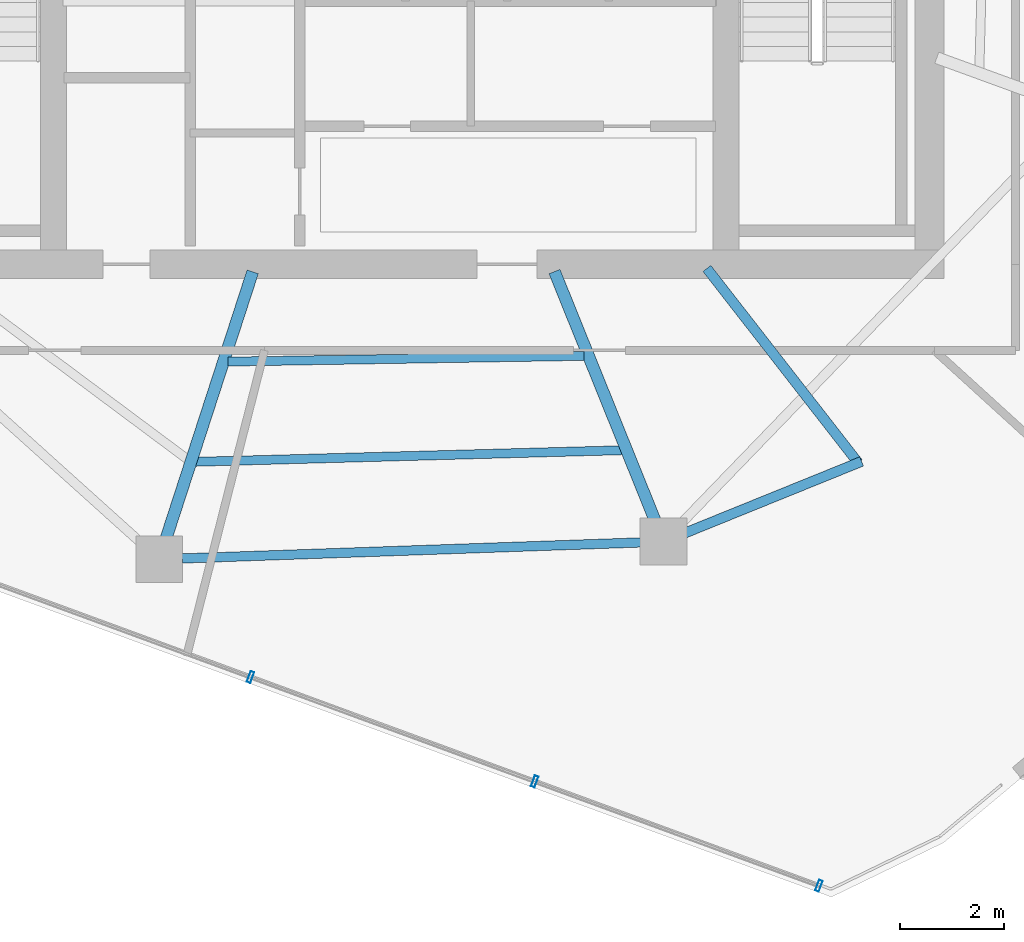
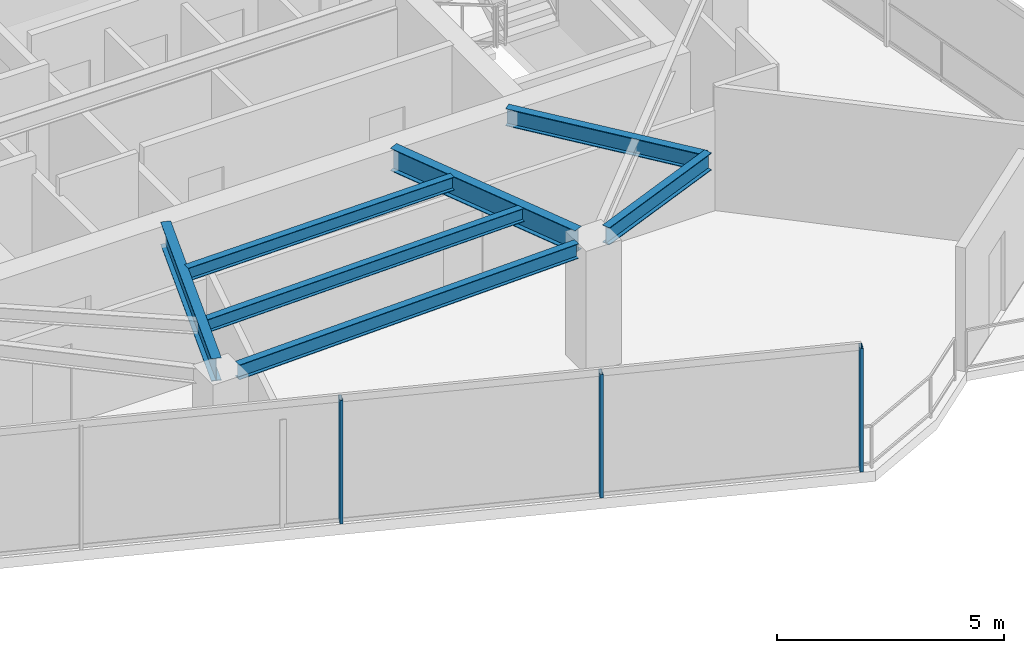
# One storey, part 4 of 18: 7 beams, 3 members, 1 element without a shape of its own.
"""IFC4 building model written with IfcOpenShell, lengths in metres."""

import ifcopenshell
import ifcopenshell.guid

model = None  # the IFC model being written
_history = None  # IfcOwnerHistory: only IFC2X3 demands one
_inside = {}  # id of a spatial element -> (the spatial element, [elements in it])
_under = {}  # id of a project, library or spatial element -> (it, [spatial elements below it])
_declared = {}  # id of a project -> (the project, [libraries it declares])
_typed = {}  # id of a type object -> (the type object, [elements of that type])
_made_of = {}  # id of a material, layer set ... -> (it, [elements and type objects made of it])


def new_model(schema):
    """Start an empty IFC model of exactly this schema.

    Asked for "IFC4X3", IfcOpenShell would pick the latest addendum, in which some entities
    have other attributes; the version numbers below select the first issue.
    IFC2X3 requires an IfcOwnerHistory on every rooted entity: one is made here for all.
    """
    global model, _history
    if schema == "IFC4X3":
        model = ifcopenshell.file(schema_version=(4, 3, 0, 0))
    else:
        model = ifcopenshell.file(schema=schema)
    _inside.clear()
    _under.clear()
    _declared.clear()
    _typed.clear()
    _made_of.clear()
    _history = None
    if model.schema == "IFC2X3":
        org = make("IfcOrganization", Name="unknown")
        user = make(
            "IfcPersonAndOrganization",
            ThePerson=make("IfcPerson", FamilyName="unknown"),
            TheOrganization=org,
        )
        app = make(
            "IfcApplication",
            ApplicationDeveloper=org,
            Version="unknown",
            ApplicationFullName="unknown",
            ApplicationIdentifier="unknown",
        )
        _history = make(
            "IfcOwnerHistory",
            OwningUser=user,
            OwningApplication=app,
            ChangeAction="ADDED",
            CreationDate=0,
        )
    return model


def make(cls, **values):
    """One entity of the class cls with the attributes given. An attribute that is None is left unset."""
    return model.create_entity(
        cls, **{name: value for name, value in values.items() if value is not None}
    )


def rooted(cls, **values):
    """An entity with a GlobalId (a new one), such as an element, a storey or a relation."""
    return make(cls, GlobalId=ifcopenshell.guid.new(), OwnerHistory=_history, **values)


def si_unit(unit_type, name, prefix=None):
    """IfcSIUnit, for example si_unit("LENGTHUNIT", "METRE", prefix="MILLI")."""
    return make("IfcSIUnit", UnitType=unit_type, Prefix=prefix, Name=name)


def assignment(units):
    """IfcUnitAssignment: the units of a project."""
    return None if units is None else make("IfcUnitAssignment", Units=units)


def point(xyz):
    """IfcCartesianPoint."""
    return None if xyz is None else make("IfcCartesianPoint", Coordinates=xyz)


def direction(xyz):
    """IfcDirection."""
    return None if xyz is None else make("IfcDirection", DirectionRatios=xyz)


def frame(location, z_axis=None, x_axis=None):
    """IfcAxis2Placement3D, a coordinate frame: its origin and axes. An axis left out is left unset."""
    return make(
        "IfcAxis2Placement3D",
        Location=point(location),
        Axis=direction(z_axis),
        RefDirection=direction(x_axis),
    )


def frame_2d(location, x_axis=None):
    """IfcAxis2Placement2D, a coordinate frame in the plane: its origin and x axis."""
    return make(
        "IfcAxis2Placement2D", Location=point(location), RefDirection=direction(x_axis)
    )


def origin():
    """The frame at (0, 0, 0) with its axes left unset."""
    return frame((0.0, 0.0, 0.0))


def origin_2d():
    """The frame at (0, 0) in the plane with its x axis left unset."""
    return frame_2d((0.0, 0.0))


def place(relative_to, where):
    """IfcLocalPlacement: puts the frame where relative to a parent placement (None: the world)."""
    return make(
        "IfcLocalPlacement", PlacementRelTo=relative_to, RelativePlacement=where
    )


def context(
    kind, dimensions, precision=None, world=None, true_north=None, identifier=None
):
    """IfcGeometricRepresentationContext, for example the 3D "Model" context."""
    return make(
        "IfcGeometricRepresentationContext",
        ContextIdentifier=identifier,
        ContextType=kind,
        CoordinateSpaceDimension=dimensions,
        Precision=precision,
        WorldCoordinateSystem=world,
        TrueNorth=true_north,
    )


def subcontext(parent, identifier, kind, view, scale=None):
    """IfcGeometricRepresentationSubContext, for example "Body" below "Model"."""
    return make(
        "IfcGeometricRepresentationSubContext",
        ContextIdentifier=identifier,
        ContextType=kind,
        ParentContext=parent,
        TargetScale=scale,
        TargetView=view,
    )


def project(units=None, contexts=None):
    """IfcProject with its units and contexts."""
    return rooted(
        "IfcProject",
        Name="project",
        RepresentationContexts=contexts,
        UnitsInContext=assignment(units),
    )


def spatial(cls, under=None, at=None, **own):
    """A site, building, storey or space (cls), placed at a placement, below another one or the project."""
    s = rooted(cls, ObjectPlacement=at, **own)
    if under is not None:
        _under.setdefault(under.id(), (under, []))[1].append(s)
    return s


def profile(cls, at=None, kind="AREA", **sizes):
    """A parametric profile (cls). Its sizes go by their IFC names, for example OverallWidth=200.0."""
    return make(cls, ProfileType=kind, Position=at, **sizes)


def hollow_rectangle(**sizes):
    """IfcRectangleHollowProfileDef."""
    return profile("IfcRectangleHollowProfileDef", **sizes)


def i_section(**sizes):
    """IfcIShapeProfileDef."""
    return profile("IfcIShapeProfileDef", **sizes)


def extrude(swept, where, along, depth):
    """IfcExtrudedAreaSolid: the profile swept, set in the frame where, extruded along a direction by depth."""
    return make(
        "IfcExtrudedAreaSolid",
        SweptArea=swept,
        Position=where,
        ExtrudedDirection=direction(along),
        Depth=depth,
    )


def shape(context_of_items, identifier, shape_type, items):
    """IfcShapeRepresentation: the items that make up one representation, for example the "Body"."""
    return make(
        "IfcShapeRepresentation",
        ContextOfItems=context_of_items,
        RepresentationIdentifier=identifier,
        RepresentationType=shape_type,
        Items=items,
    )


def material(Name=None, Category=None):
    """IfcMaterial."""
    return make("IfcMaterial", Name=Name, Category=Category)


def layer(
    of_material, thickness, ventilated=None, Name=None, Category=None, Priority=None
):
    """IfcMaterialLayer: one layer of a wall or slab, of a material (None: an air gap)."""
    return make(
        "IfcMaterialLayer",
        Material=of_material,
        LayerThickness=thickness,
        IsVentilated=ventilated,
        Name=Name,
        Category=Category,
        Priority=Priority,
    )


def layer_set(layers, Name=None):
    """IfcMaterialLayerSet."""
    return make("IfcMaterialLayerSet", MaterialLayers=layers, LayerSetName=Name)


def material_profile(
    of_material, cross_section, Name=None, Category=None, Priority=None
):
    """IfcMaterialProfile: a cross section and its material."""
    return make(
        "IfcMaterialProfile",
        Name=Name,
        Material=of_material,
        Profile=cross_section,
        Priority=Priority,
        Category=Category,
    )


def profile_set(profiles, Name=None, composite=None):
    """IfcMaterialProfileSet."""
    return make(
        "IfcMaterialProfileSet",
        Name=Name,
        MaterialProfiles=profiles,
        CompositeProfile=composite,
    )


def made_of(thing, what):
    """Note that an element or type object is made of a material, layer set ...; save() writes the relation."""
    if what is not None:
        _made_of.setdefault(what.id(), (what, []))[1].append(thing)
    return thing


def type_object(cls, material=None, **own):
    """A type object (cls), such as IfcWallType, which elements share."""
    return made_of(rooted(cls, **own), material)


def element(
    cls,
    number,
    at=None,
    inside=None,
    cuts=None,
    type_object=None,
    material=None,
    context=None,
    identifier="Body",
    shape_type=None,
    held_by="IfcProductDefinitionShape",
    body=None,
    shapes=None,
    **own,
):
    """One element of the class cls, such as IfcWall. Its Tag is "e" and its number.

    at: its placement. inside: the storey or other place that contains it. cuts: it is an
    opening in that element (IfcRelVoidsElement). A single representation is given by context,
    identifier, shape_type and body (its items); several are given by shapes. held_by: the class
    of the entity that holds the representations. save() writes the other relations.
    """
    e = rooted(cls, Tag="e%d" % number, ObjectPlacement=at, **own)
    if body is not None:
        shapes = [shape(context, identifier, shape_type, body)]
    if shapes is not None:
        e.Representation = make(held_by, Representations=shapes)
    if inside is not None:
        _inside.setdefault(inside.id(), (inside, []))[1].append(e)
    if cuts is not None:
        rooted(
            "IfcRelVoidsElement", RelatingBuildingElement=cuts, RelatedOpeningElement=e
        )
    if type_object is not None:
        _typed.setdefault(type_object.id(), (type_object, []))[1].append(e)
    return made_of(e, material)


def aggregate(whole, parts):
    """IfcRelAggregates: a whole, such as a stair, and the parts it consists of."""
    return rooted("IfcRelAggregates", RelatingObject=whole, RelatedObjects=parts)


def save(model, path):
    """Write the relations noted so far, then the file.

    IfcRelAggregates (storeys below a building ...), IfcRelContainedInSpatialStructure (elements
    in a storey), IfcRelDefinesByType, IfcRelAssociatesMaterial and IfcRelDeclares: one each for
    every whole, place, type object, material and project.
    """
    for whole, parts in _under.values():
        aggregate(whole, parts)
    for where, things in _inside.values():
        rooted(
            "IfcRelContainedInSpatialStructure",
            RelatedElements=things,
            RelatingStructure=where,
        )
    for kind, things in _typed.values():
        rooted("IfcRelDefinesByType", RelatedObjects=things, RelatingType=kind)
    for what, things in _made_of.values():
        rooted("IfcRelAssociatesMaterial", RelatedObjects=things, RelatingMaterial=what)
    for by, libraries in _declared.values():
        rooted("IfcRelDeclares", RelatingContext=by, RelatedDefinitions=libraries)
    model.write(path)


model = new_model("IFC4")

# Units and contexts
model_context = context("Model", 3, precision=1e-05, world=origin(), true_north=direction((0.0, 1.0)))
body_context = subcontext(model_context, "Body", "Model", "MODEL_VIEW")
ifc_project = project(units=[si_unit("LENGTHUNIT", "METRE"), si_unit("AREAUNIT", "SQUARE_METRE"), si_unit("VOLUMEUNIT", "CUBIC_METRE"), si_unit("PLANEANGLEUNIT", "RADIAN"), si_unit("MASSUNIT", "GRAM", prefix="KILO")], contexts=[model_context])

# Site, building, storey
site_placement = place(None, origin())
site = spatial("IfcSite", under=ifc_project, at=site_placement, CompositionType="ELEMENT")
building_placement = place(site_placement, origin())
building = spatial("IfcBuilding", under=site, at=building_placement, Name="Qarnah Convention Tower", CompositionType="ELEMENT")
storey_placement = place(building_placement, frame((0.0, 0.0, 216.60009765625)))
storey = spatial("IfcBuildingStorey", under=building, at=storey_placement, Name="L58", CompositionType="ELEMENT", Elevation=216.60009765625)

# Beams
ifc_material_1 = material(Name="Structural steel S355JR", Category="steel")
ifc_material_profile_1 = material_profile(ifc_material_1, i_section(OverallWidth=0.19189453125, OverallDepth=0.464111328125, WebThickness=0.010986328125, FlangeThickness=0.01806640625, at=origin_2d()), Name="W460X89")
ifc_profile_set_1 = profile_set([ifc_material_profile_1], Name="Structural steel S355JR")
beam_type_1 = type_object("IfcBeamType", Name="BM-CANT-W460A", PredefinedType="BEAM", material=ifc_profile_set_1)
beam_1_placement = place(storey_placement, frame((43.3310546875, 18.52099609375, 3.087890625), z_axis=(0.614241094698, -0.789118417973, 0.0), x_axis=(0.789118417973, 0.614241094698, 0.0)))
element("IfcBeam", 1, at=beam_1_placement, inside=storey, type_object=beam_type_1, Name="L58 beam BM-L58-CNT-03-1", PredefinedType="BEAM", context=body_context, shape_type="SweptSolid", body=[
    extrude(i_section(OverallWidth=0.19189453125, OverallDepth=0.464111328125, WebThickness=0.010986328125, FlangeThickness=0.01806640625, at=origin_2d()), origin(), (0.0, 0.0, 1.0), 4.724365234375),
])
beam_2_placement = place(storey_placement, frame((46.298095703125, 14.819091796875, 3.087890625), z_axis=(-0.926735498901, -0.375714406268, 0.0), x_axis=(0.375714406268, -0.926735498901, 0.0)))
element("IfcBeam", 2, at=beam_2_placement, inside=storey, type_object=beam_type_1, Name="L58 spandrel BM-L58-CTIE-03", PredefinedType="SPANDREL", context=body_context, shape_type="SweptSolid", body=[
    extrude(i_section(OverallWidth=0.19189453125, OverallDepth=0.464111328125, WebThickness=0.010986328125, FlangeThickness=0.01806640625, at=origin_2d()), origin(), (0.0, 0.0, 1.0), 3.656982421875),
])
ifc_material_profile_2 = material_profile(ifc_material_1, i_section(OverallWidth=0.172119140625, OverallDepth=0.35595703125, WebThickness=0.007080078125, FlangeThickness=0.011962890625, at=origin_2d()), Name="W360X51")
ifc_profile_set_2 = profile_set([ifc_material_profile_2], Name="Structural steel S355JR")
beam_type_2 = type_object("IfcBeamType", Name="BM-JST-W360", PredefinedType="JOIST", material=ifc_profile_set_2)
beam_3_placement = place(storey_placement, frame((33.52392578125, 14.81201171875, 3.141845703125), z_axis=(0.999632001403, 0.027126772227, 0.0), x_axis=(-0.027126772227, 0.999632001403, 0.0)))
element("IfcBeam", 3, at=beam_3_placement, inside=storey, type_object=beam_type_2, Name="L58 joist BM-L58-SJST-07", PredefinedType="JOIST", context=body_context, shape_type="SweptSolid", body=[
    extrude(i_section(OverallWidth=0.172119140625, OverallDepth=0.35595703125, WebThickness=0.007080078125, FlangeThickness=0.011962890625, at=origin_2d()), origin(), (0.0, 0.0, 1.0), 8.180908203125),
])
beam_4_placement = place(storey_placement, frame((34.14794921875, 16.73388671875, 3.141845703125), z_axis=(0.999872111544, 0.015992515614, 0.0), x_axis=(-0.015992515614, 0.999872111544, 0.0)))
element("IfcBeam", 4, at=beam_4_placement, inside=storey, type_object=beam_type_2, Name="L58 joist BM-L58-IJST-07", PredefinedType="JOIST", context=body_context, shape_type="SweptSolid", body=[
    extrude(i_section(OverallWidth=0.172119140625, OverallDepth=0.35595703125, WebThickness=0.007080078125, FlangeThickness=0.011962890625, at=origin_2d()), origin(), (0.0, 0.0, 1.0), 6.823974609375),
])
ifc_material_profile_3 = material_profile(ifc_material_1, i_section(OverallWidth=0.22802734375, OverallDepth=0.60791015625, WebThickness=0.010986328125, FlangeThickness=0.01708984375, at=origin_2d()), Name="W610X113")
ifc_profile_set_3 = profile_set([ifc_material_profile_3], Name="Structural steel S355JR")
beam_type_3 = type_object("IfcBeamType", Name="BM-RAD-W610B", PredefinedType="BEAM", material=ifc_profile_set_3)
beam_5_placement = place(storey_placement, frame((34.618896484375, 18.45703125, 3.015869140625), z_axis=(-0.309055218988, -0.951044095516, 0.0), x_axis=(0.951044095516, -0.309055218988, 0.0)))
element("IfcBeam", 5, at=beam_5_placement, inside=storey, type_object=beam_type_3, Name="L58 beam BM-L58-RAD-07", PredefinedType="BEAM", context=body_context, shape_type="SweptSolid", body=[
    extrude(i_section(OverallWidth=0.22802734375, OverallDepth=0.60791015625, WebThickness=0.010986328125, FlangeThickness=0.01708984375, at=origin_2d()), origin(), (0.0, 0.0, 1.0), 5.36767578125),
])
beam_6_placement = place(storey_placement, frame((40.407958984375, 18.4609375, 3.015869140625), z_axis=(0.374620360642, -0.927178292127, 0.0), x_axis=(0.927178292127, 0.374620360642, 0.0)))
element("IfcBeam", 6, at=beam_6_placement, inside=storey, type_object=beam_type_3, Name="L58 beam BM-L58-RAD-08", PredefinedType="BEAM", context=body_context, shape_type="SweptSolid", body=[
    extrude(i_section(OverallWidth=0.22802734375, OverallDepth=0.60791015625, WebThickness=0.010986328125, FlangeThickness=0.01708984375, at=origin_2d()), origin(), (0.0, 0.0, 1.0), 5.157470703125),
])
ifc_material_profile_4 = material_profile(ifc_material_1, i_section(OverallWidth=0.179931640625, OverallDepth=0.39990234375, WebThickness=0.009033203125, FlangeThickness=0.013916015625, at=origin_2d()), Name="IPE400")
ifc_profile_set_4 = profile_set([ifc_material_profile_4], Name="Structural steel S355JR")
beam_type_4 = type_object("IfcBeamType", Name="BM-SPN-IPE400", PredefinedType="SPANDREL", material=ifc_profile_set_4)
beam_7_placement = place(storey_placement, frame((33.26708984375, 12.9580078125, 3.119873046875), z_axis=(0.999391645542, 0.034876049374, 0.0), x_axis=(-0.034876049374, 0.999391645542, 0.0)))
element("IfcBeam", 7, at=beam_7_placement, inside=storey, type_object=beam_type_4, Name="L58 spandrel BM-L58-SPN-07", PredefinedType="SPANDREL", context=body_context, shape_type="SweptSolid", body=[
    extrude(i_section(OverallWidth=0.179931640625, OverallDepth=0.39990234375, WebThickness=0.009033203125, FlangeThickness=0.013916015625, at=origin_2d()), origin(), (0.0, 0.0, 1.0), 8.79931640625),
])

# Curtain wall, members
ifc_material_2 = material(Name="Tempered Low-E dark glass", Category="glass")
ifc_layer = layer(ifc_material_2, 0.174072265625)
ifc_layer_set = layer_set([ifc_layer], Name="Tempered Low-E dark glass")
curtain_wall_type = type_object("IfcCurtainWallType", Name="CWS-04", PredefinedType="NOTDEFINED", material=ifc_layer_set)
curtain_wall_placement = place(storey_placement, origin())
curtain_wall = element("IfcCurtainWall", 8, at=curtain_wall_placement, inside=storey, type_object=curtain_wall_type, Name="L58 unitised curtain wall CW-L58-F1", PredefinedType="NOTDEFINED")
ifc_material_3 = material(Name="Black anodised aluminium", Category="aluminium")
ifc_material_profile_5 = material_profile(ifc_material_3, hollow_rectangle(XDim=0.074951171875, YDim=0.219970703125, WallThickness=0.0048828125, at=origin_2d()), Name="MUL-75X220")
ifc_profile_set_5 = profile_set([ifc_material_profile_5], Name="Black anodised aluminium")
member_type = type_object("IfcMemberType", Name="MUL-T4", PredefinedType="MULLION", material=ifc_profile_set_5)
member_1_placement = place(storey_placement, frame((45.47998046875, 6.678955078125, 0.0), z_axis=(0.0, 0.0, 1.0), x_axis=(-0.938742302648, 0.34461991994, 0.0)))
member_1 = element("IfcMember", 9, at=member_1_placement, type_object=member_type, Name="CW-L58-F1 mullion 1", PredefinedType="MULLION", context=body_context, shape_type="SweptSolid", body=[
    extrude(hollow_rectangle(XDim=0.074951171875, YDim=0.219970703125, WallThickness=0.0048828125, at=origin_2d()), origin(), (0.0, 0.0, 1.0), 3.31982421875),
])
member_2_placement = place(storey_placement, frame((40.0283203125, 8.680419921875, 0.0), z_axis=(0.0, 0.0, 1.0), x_axis=(-0.938742302648, 0.34461991994, 0.0)))
member_2 = element("IfcMember", 10, at=member_2_placement, type_object=member_type, Name="CW-L58-F1 mullion 2", PredefinedType="MULLION", context=body_context, shape_type="SweptSolid", body=[
    extrude(hollow_rectangle(XDim=0.074951171875, YDim=0.219970703125, WallThickness=0.0048828125, at=origin_2d()), origin(), (0.0, 0.0, 1.0), 3.31982421875),
])
member_3_placement = place(storey_placement, frame((34.576416015625, 10.681884765625, 0.0), z_axis=(0.0, 0.0, 1.0), x_axis=(-0.938742302648, 0.34461991994, 0.0)))
member_3 = element("IfcMember", 11, at=member_3_placement, type_object=member_type, Name="CW-L58-F1 mullion 3", PredefinedType="MULLION", context=body_context, shape_type="SweptSolid", body=[
    extrude(hollow_rectangle(XDim=0.074951171875, YDim=0.219970703125, WallThickness=0.0048828125, at=origin_2d()), origin(), (0.0, 0.0, 1.0), 3.31982421875),
])
aggregate(curtain_wall, [member_1, member_2, member_3])

save(model, "model.ifc")
